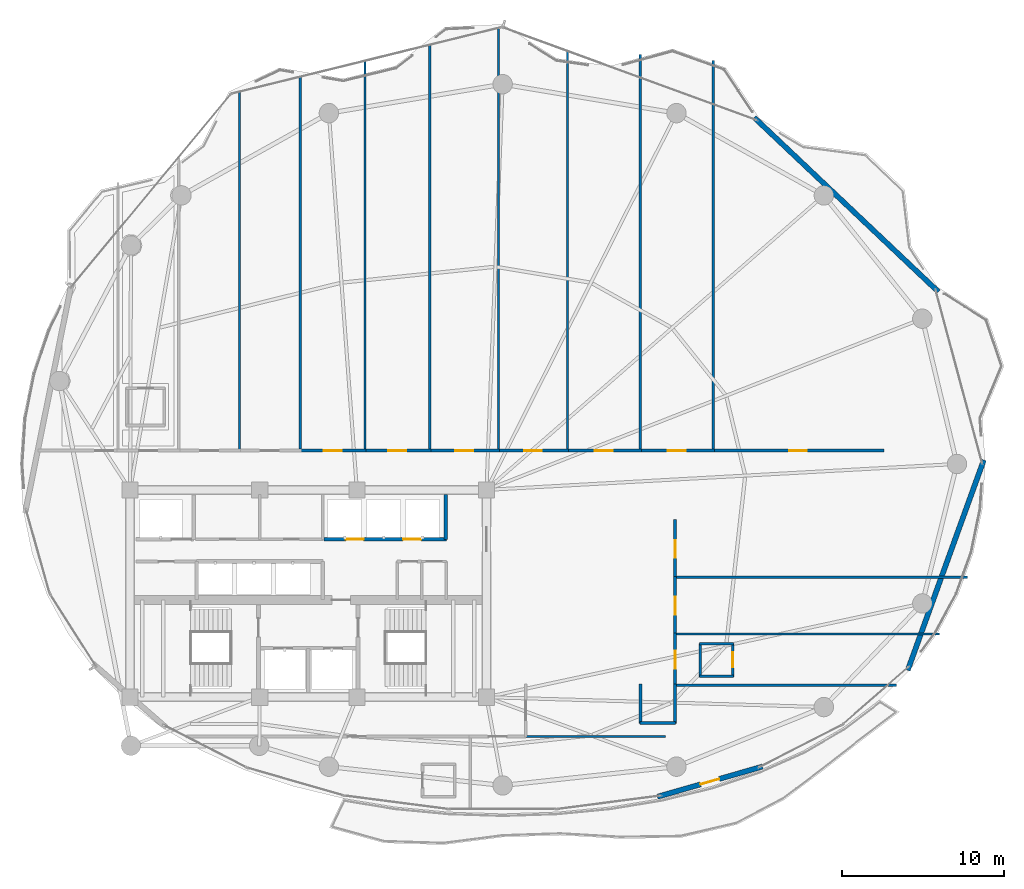
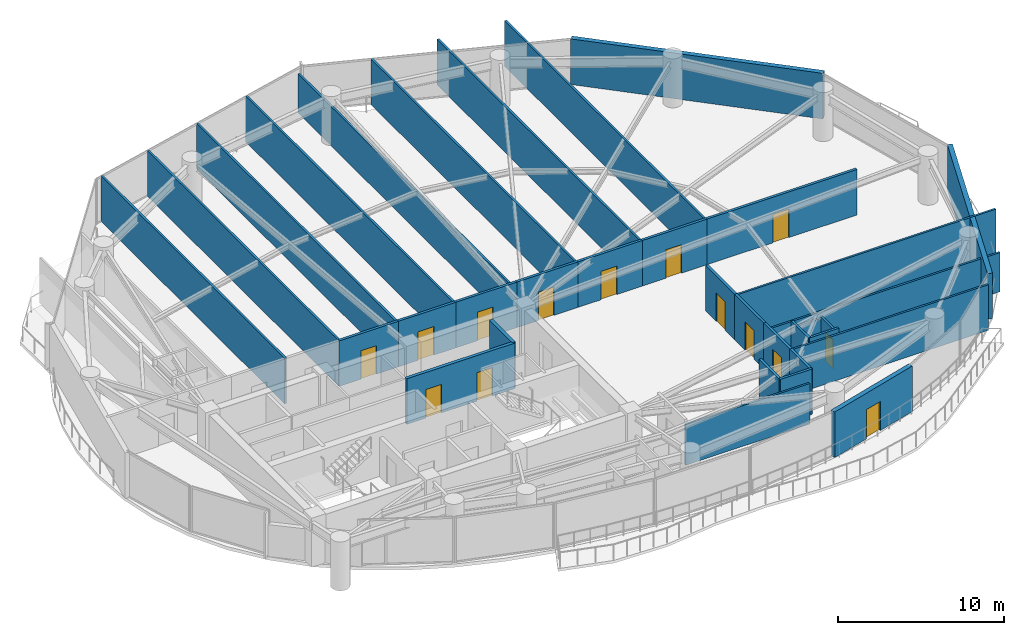
# One storey, part 24 of 28: 34 walls, 14 doors, 14 openings.
"""IFC4 building model written with IfcOpenShell, lengths in metres."""

from ifc_helpers import new_model, si_unit, direction, frame, frame_2d, origin, place, context, subcontext, project, spatial, rectangle, extrude, material, layer, layer_set, type_object, element, fill, save


model = new_model("IFC4")

# Units and contexts
model_context = context("Model", 3, precision=1e-05, world=origin(), true_north=direction((0.0, 1.0)))
body_context = subcontext(model_context, "Body", "Model", "MODEL_VIEW")
ifc_project = project(units=[si_unit("LENGTHUNIT", "METRE"), si_unit("AREAUNIT", "SQUARE_METRE"), si_unit("VOLUMEUNIT", "CUBIC_METRE"), si_unit("PLANEANGLEUNIT", "RADIAN"), si_unit("MASSUNIT", "GRAM", prefix="KILO")], contexts=[model_context])

# Site, building, storey
site_placement = place(None, origin())
site = spatial("IfcSite", under=ifc_project, at=site_placement, CompositionType="ELEMENT")
building_placement = place(site_placement, origin())
building = spatial("IfcBuilding", under=site, at=building_placement, Name="Kazevale Care Tower and Concert Hall", CompositionType="ELEMENT")
storey_placement = place(building_placement, frame((0.0, 0.0, 120.60009765625)))
storey = spatial("IfcBuildingStorey", under=building, at=storey_placement, Name="L31", CompositionType="ELEMENT", Elevation=120.60009765625)

# Walls
ifc_material_1 = material(Name="Acoustic Gypsum on Steel Stud", Category="steel")
ifc_layer_1 = layer(ifc_material_1, 0.139892578125)
ifc_layer_set_1 = layer_set([ifc_layer_1], Name="Acoustic Gypsum on Steel Stud")
wall_type_1 = type_object("IfcWallType", Name="Acoustic Care & Suite Partition 140", PredefinedType="PARTITIONING", material=ifc_layer_set_1)
wall_1_placement = place(storey_placement, frame((28.75, 60.967529296875, 0.0), z_axis=(0.0, 0.0, 1.0), x_axis=(0.0, -1.0, 0.0)))
element("IfcWall", 1, at=wall_1_placement, inside=storey, type_object=wall_type_1, Name="wall:L31:auto_023", PredefinedType="PARTITIONING", context=body_context, shape_type="SweptSolid", body=[
    extrude(rectangle(XDim=22.172607421875, YDim=0.139892578125, at=frame_2d((11.08642578125, 0.0))), origin(), (0.0, 0.0, 1.0), 3.35986328125),
])
wall_2_placement = place(storey_placement, frame((32.5, 61.890869140625, 0.0), z_axis=(0.0, 0.0, 1.0), x_axis=(0.0, -1.0, 0.0)))
element("IfcWall", 2, at=wall_2_placement, inside=storey, type_object=wall_type_1, Name="wall:L31:auto_024", PredefinedType="PARTITIONING", context=body_context, shape_type="SweptSolid", body=[
    extrude(rectangle(XDim=23.095947265625, YDim=0.139892578125, at=frame_2d((11.5478515625, 0.0))), origin(), (0.0, 0.0, 1.0), 3.35986328125),
])
wall_3_placement = place(storey_placement, frame((36.5, 62.8759765625, 0.0), z_axis=(0.0, 0.0, 1.0), x_axis=(0.0, -1.0, 0.0)))
element("IfcWall", 3, at=wall_3_placement, inside=storey, type_object=wall_type_1, Name="wall:L31:auto_025", PredefinedType="PARTITIONING", context=body_context, shape_type="SweptSolid", body=[
    extrude(rectangle(XDim=24.0810546875, YDim=0.139892578125, at=frame_2d((12.04052734375, 0.0))), origin(), (0.0, 0.0, 1.0), 3.35986328125),
])
wall_4_placement = place(storey_placement, frame((40.5, 63.86083984375, 0.0), z_axis=(0.0, 0.0, 1.0), x_axis=(0.0, -1.0, 0.0)))
element("IfcWall", 4, at=wall_4_placement, inside=storey, type_object=wall_type_1, Name="wall:L31:auto_026", PredefinedType="PARTITIONING", context=body_context, shape_type="SweptSolid", body=[
    extrude(rectangle(XDim=25.06591796875, YDim=0.139892578125, at=frame_2d((12.532958984375, 0.0))), origin(), (0.0, 0.0, 1.0), 3.35986328125),
])
wall_5_placement = place(storey_placement, frame((44.75, 64.9072265625, 0.0), z_axis=(0.0, 0.0, 1.0), x_axis=(0.0, -1.0, 0.0)))
element("IfcWall", 5, at=wall_5_placement, inside=storey, type_object=wall_type_1, Name="wall:L31:auto_027", PredefinedType="PARTITIONING", context=body_context, shape_type="SweptSolid", body=[
    extrude(rectangle(XDim=26.1123046875, YDim=0.139892578125, at=frame_2d((13.05615234375, 0.0))), origin(), (0.0, 0.0, 1.0), 2.889892578125),
])
wall_6_placement = place(storey_placement, frame((49.0, 63.478271484375, 0.0), z_axis=(0.0, 0.0, 1.0), x_axis=(0.0, -1.0, 0.0)))
element("IfcWall", 6, at=wall_6_placement, inside=storey, type_object=wall_type_1, Name="wall:L31:auto_028", PredefinedType="PARTITIONING", context=body_context, shape_type="SweptSolid", body=[
    extrude(rectangle(XDim=24.683349609375, YDim=0.139892578125, at=frame_2d((12.341796875, 0.0))), origin(), (0.0, 0.0, 1.0), 3.35986328125),
])
wall_7_placement = place(storey_placement, frame((53.5, 63.27490234375, 0.0), z_axis=(0.0, 0.0, 1.0), x_axis=(0.0, -1.0, 0.0)))
element("IfcWall", 7, at=wall_7_placement, inside=storey, type_object=wall_type_1, Name="wall:L31:auto_029", PredefinedType="PARTITIONING", context=body_context, shape_type="SweptSolid", body=[
    extrude(rectangle(XDim=24.47998046875, YDim=0.139892578125, at=frame_2d((12.239990234375, 0.0))), origin(), (0.0, 0.0, 1.0), 3.35986328125),
])
wall_8_placement = place(storey_placement, frame((58.0, 62.925048828125, 0.0), z_axis=(0.0, 0.0, 1.0), x_axis=(0.0, -1.0, 0.0)))
element("IfcWall", 8, at=wall_8_placement, inside=storey, type_object=wall_type_1, Name="wall:L31:auto_030", PredefinedType="PARTITIONING", context=body_context, shape_type="SweptSolid", body=[
    extrude(rectangle(XDim=24.130126953125, YDim=0.139892578125, at=frame_2d((12.06494140625, 0.0))), origin(), (0.0, 0.0, 1.0), 3.35986328125),
])
wall_9_placement = place(storey_placement, frame((55.6201171875, 24.340087890625, 0.0), z_axis=(0.0, 0.0, 1.0), x_axis=(1.0, 0.0, 0.0)))
element("IfcWall", 9, at=wall_9_placement, inside=storey, type_object=wall_type_1, Name="wall:L31:auto_031", PredefinedType="PARTITIONING", context=body_context, shape_type="SweptSolid", body=[
    extrude(rectangle(XDim=13.69580078125, YDim=0.139892578125, at=frame_2d((6.847900390625, 0.0))), origin(), (0.0, 0.0, 1.0), 3.35986328125),
])
wall_10_placement = place(storey_placement, frame((55.06494140625, 21.175048828125, 0.0), z_axis=(0.0, 0.0, 1.0), x_axis=(-1.0, 0.0, 0.0)))
element("IfcWall", 10, at=wall_10_placement, inside=storey, type_object=wall_type_1, Name="wall:L31:auto_032", PredefinedType="PARTITIONING", context=body_context, shape_type="SweptSolid", body=[
    extrude(rectangle(XDim=8.669921875, YDim=0.139892578125, at=frame_2d((4.3349609375, 0.0))), origin(), (0.0, 0.0, 1.0), 2.995849609375),
])
wall_11_placement = place(storey_placement, frame((55.6201171875, 27.5, 0.0), z_axis=(0.0, 0.0, 1.0), x_axis=(1.0, 0.0, 0.0)))
element("IfcWall", 11, at=wall_11_placement, inside=storey, type_object=wall_type_1, Name="wall:L31:auto_033", PredefinedType="PARTITIONING", context=body_context, shape_type="SweptSolid", body=[
    extrude(rectangle(XDim=16.345947265625, YDim=0.139892578125, at=frame_2d((8.1728515625, 0.0))), origin(), (0.0, 0.0, 1.0), 2.889892578125),
])
wall_12_placement = place(storey_placement, frame((55.6201171875, 31.0, 0.0), z_axis=(0.0, 0.0, 1.0), x_axis=(1.0, 0.0, 0.0)))
element("IfcWall", 12, at=wall_12_placement, inside=storey, type_object=wall_type_1, Name="wall:L31:auto_034", PredefinedType="PARTITIONING", context=body_context, shape_type="SweptSolid", body=[
    extrude(rectangle(XDim=18.082763671875, YDim=0.139892578125, at=frame_2d((9.04150390625, 0.0))), origin(), (0.0, 0.0, 1.0), 3.35986328125),
])

# Wall, openings, doors
ifc_material_2 = material(Name="Concrete C40", Category="concrete")
ifc_layer_2 = layer(ifc_material_2, 0.219970703125)
ifc_layer_set_2 = layer_set([ifc_layer_2], Name="Concrete C40")
wall_type_2 = type_object("IfcWallType", Name="Elevator Hoistway Shaft Wall 220", PredefinedType="SOLIDWALL", material=ifc_layer_set_2)
wall_13_placement = place(storey_placement, frame((33.97998046875, 33.35009765625, 0.0), z_axis=(0.0, 0.0, 1.0), x_axis=(1.0, 0.0, 0.0)))
wall_13 = element("IfcWall", 13, at=wall_13_placement, inside=storey, type_object=wall_type_2, Name="wall:L31:c_pm_s", PredefinedType="SOLIDWALL", context=body_context, shape_type="SweptSolid", body=[
    extrude(rectangle(XDim=7.5400390625, YDim=0.219970703125, at=frame_2d((3.77001953125, 0.0))), origin(), (0.0, 0.0, 1.0), 3.35986328125),
])
opening_1_placement = place(wall_13_placement, frame((1.3349609375, 0.0, 0.0)))
opening_1 = element("IfcOpeningElement", 14, at=opening_1_placement, cuts=wall_13, Name="Opening LD-PAX", PredefinedType="OPENING", context=body_context, shape_type="SweptSolid", body=[
    extrude(rectangle(XDim=1.10009765625, YDim=2.10009765625, at=frame_2d((0.550048828125, 1.050048828125))), frame((0.0, 0.119873046875, 0.0), z_axis=(0.0, -1.0, 0.0), x_axis=(1.0, 0.0, 0.0)), (0.0, 0.0, 1.0), 0.239990234375),
])
opening_2_placement = place(wall_13_placement, frame((4.87890625, 0.0, 0.0)))
opening_2 = element("IfcOpeningElement", 15, at=opening_2_placement, cuts=wall_13, Name="Opening LD-PAX", PredefinedType="OPENING", context=body_context, shape_type="SweptSolid", body=[
    extrude(rectangle(XDim=1.10009765625, YDim=2.10009765625, at=frame_2d((0.550048828125, 1.050048828125))), frame((0.0, 0.119873046875, 0.0), z_axis=(0.0, -1.0, 0.0), x_axis=(1.0, 0.0, 0.0)), (0.0, 0.0, 1.0), 0.239990234375),
])
ifc_material_3 = material(Name="Stainless Steel 316", Category="steel")
door_type_1 = type_object("IfcDoorType", Name="Passenger Lift Sliding Landing Door 1100x2100", OperationType="NOTDEFINED", PredefinedType="DOOR", material=ifc_material_3)
door_1_placement = place(opening_1_placement, origin())
door_1 = element("IfcDoor", 16, at=door_1_placement, inside=storey, type_object=door_type_1, Name="door:L31:ld_pm1", OperationType="SLIDING_TO_LEFT", OverallHeight=2.10009765625, OverallWidth=1.10009765625, PredefinedType="DOOR", context=body_context, shape_type="SweptSolid", body=[
    extrude(rectangle(XDim=1.10009765625, YDim=2.10009765625, at=frame_2d((0.550048828125, 1.050048828125))), frame((0.0, 0.02490234375, 0.0), z_axis=(0.0, -1.0, 0.0), x_axis=(1.0, 0.0, 0.0)), (0.0, 0.0, 1.0), 0.050048828125),
])
fill(opening_1, door_1)
door_2_placement = place(opening_2_placement, origin())
door_2 = element("IfcDoor", 17, at=door_2_placement, inside=storey, type_object=door_type_1, Name="door:L31:ld_pm2", OperationType="SLIDING_TO_RIGHT", OverallHeight=2.10009765625, OverallWidth=1.10009765625, PredefinedType="DOOR", context=body_context, shape_type="SweptSolid", body=[
    extrude(rectangle(XDim=1.10009765625, YDim=2.10009765625, at=frame_2d((0.550048828125, 1.050048828125))), frame((0.0, 0.02490234375, 0.0), z_axis=(0.0, -1.0, 0.0), x_axis=(1.0, 0.0, 0.0)), (0.0, 0.0, 1.0), 0.050048828125),
])
fill(opening_2, door_2)

# Wall
wall_14_placement = place(storey_placement, frame((41.5, 33.35009765625, 0.0), z_axis=(0.0, 0.0, 1.0), x_axis=(0.0, 1.0, 0.0)))
element("IfcWall", 18, at=wall_14_placement, inside=storey, type_object=wall_type_2, Name="wall:L31:c_pm_e", PredefinedType="SOLIDWALL", context=body_context, shape_type="SweptSolid", body=[
    extrude(rectangle(XDim=2.75, YDim=0.219970703125, at=frame_2d((1.375, 0.0))), origin(), (0.0, 0.0, 1.0), 3.35986328125),
])

# Wall, opening, door
ifc_material_4 = material(Name="Concrete C40 and Acoustic Gypsum", Category="concrete")
ifc_layer_3 = layer(ifc_material_4, 0.179931640625)
ifc_layer_set_3 = layer_set([ifc_layer_3], Name="Concrete C40 and Acoustic Gypsum")
wall_type_3 = type_object("IfcWallType", Name="Fire-Rated Corridor & Party Wall 180", PredefinedType="PARTITIONING", material=ifc_layer_set_3)
wall_15_placement = place(storey_placement, frame((32.43505859375, 38.824951171875, 0.0), z_axis=(0.0, 0.0, 1.0), x_axis=(1.0, 0.0, 0.0)))
wall_15 = element("IfcWall", 19, at=wall_15_placement, inside=storey, type_object=wall_type_3, Name="wall:L31:auto_005", PredefinedType="PARTITIONING", context=body_context, shape_type="SweptSolid", body=[
    extrude(rectangle(XDim=4.1298828125, YDim=0.179931640625, at=frame_2d((2.06494140625, 0.0))), origin(), (0.0, 0.0, 1.0), 3.35986328125),
])
opening_3_placement = place(wall_15_placement, frame((1.514892578125, 0.0, 0.0)))
opening_3 = element("IfcOpeningElement", 20, at=opening_3_placement, cuts=wall_15, Name="Opening ID-1100", PredefinedType="OPENING", context=body_context, shape_type="SweptSolid", body=[
    extrude(rectangle(XDim=1.10009765625, YDim=2.10009765625, at=frame_2d((0.550048828125, 1.050048828125))), frame((0.0, 0.099853515625, 0.0), z_axis=(0.0, -1.0, 0.0), x_axis=(1.0, 0.0, 0.0)), (0.0, 0.0, 1.0), 0.199951171875),
])
ifc_material_5 = material(Name="Oak Timber Fire Leaf", Category="wood")
door_type_2 = type_object("IfcDoorType", Name="Care Bedroom Accessible Door 1100x2100", OperationType="NOTDEFINED", PredefinedType="DOOR", material=ifc_material_5)
door_3_placement = place(opening_3_placement, origin())
door_3 = element("IfcDoor", 21, at=door_3_placement, inside=storey, type_object=door_type_2, Name="door:L31:ad_005", OperationType="SINGLE_SWING_LEFT", OverallHeight=2.10009765625, OverallWidth=1.10009765625, PredefinedType="DOOR", context=body_context, shape_type="SweptSolid", body=[
    extrude(rectangle(XDim=1.10009765625, YDim=2.10009765625, at=frame_2d((0.550048828125, 1.050048828125))), frame((0.0, 0.02490234375, 0.0), z_axis=(0.0, -1.0, 0.0), x_axis=(1.0, 0.0, 0.0)), (0.0, 0.0, 1.0), 0.050048828125),
])
fill(opening_3, door_3)

wall_16_placement = place(storey_placement, frame((36.43505859375, 38.824951171875, 0.0), z_axis=(0.0, 0.0, 1.0), x_axis=(1.0, 0.0, 0.0)))
wall_16 = element("IfcWall", 22, at=wall_16_placement, inside=storey, type_object=wall_type_3, Name="wall:L31:auto_006", PredefinedType="PARTITIONING", context=body_context, shape_type="SweptSolid", body=[
    extrude(rectangle(XDim=4.1298828125, YDim=0.179931640625, at=frame_2d((2.06494140625, 0.0))), origin(), (0.0, 0.0, 1.0), 3.35986328125),
])
opening_4_placement = place(wall_16_placement, frame((1.514892578125, 0.0, 0.0)))
opening_4 = element("IfcOpeningElement", 23, at=opening_4_placement, cuts=wall_16, Name="Opening ID-1100", PredefinedType="OPENING", context=body_context, shape_type="SweptSolid", body=[
    extrude(rectangle(XDim=1.10009765625, YDim=2.10009765625, at=frame_2d((0.550048828125, 1.050048828125))), frame((0.0, 0.099853515625, 0.0), z_axis=(0.0, -1.0, 0.0), x_axis=(1.0, 0.0, 0.0)), (0.0, 0.0, 1.0), 0.199951171875),
])
door_4_placement = place(opening_4_placement, origin())
door_4 = element("IfcDoor", 24, at=door_4_placement, inside=storey, type_object=door_type_2, Name="door:L31:ad_006", OperationType="SINGLE_SWING_LEFT", OverallHeight=2.10009765625, OverallWidth=1.10009765625, PredefinedType="DOOR", context=body_context, shape_type="SweptSolid", body=[
    extrude(rectangle(XDim=1.10009765625, YDim=2.10009765625, at=frame_2d((0.550048828125, 1.050048828125))), frame((0.0, 0.02490234375, 0.0), z_axis=(0.0, -1.0, 0.0), x_axis=(1.0, 0.0, 0.0)), (0.0, 0.0, 1.0), 0.050048828125),
])
fill(opening_4, door_4)

wall_17_placement = place(storey_placement, frame((40.43505859375, 38.824951171875, 0.0), z_axis=(0.0, 0.0, 1.0), x_axis=(1.0, 0.0, 0.0)))
wall_17 = element("IfcWall", 25, at=wall_17_placement, inside=storey, type_object=wall_type_3, Name="wall:L31:auto_007", PredefinedType="PARTITIONING", context=body_context, shape_type="SweptSolid", body=[
    extrude(rectangle(XDim=4.3798828125, YDim=0.179931640625, at=frame_2d((2.18994140625, 0.0))), origin(), (0.0, 0.0, 1.0), 3.35986328125),
])
opening_5_placement = place(wall_17_placement, frame((1.639892578125, 0.0, 0.0)))
opening_5 = element("IfcOpeningElement", 26, at=opening_5_placement, cuts=wall_17, Name="Opening ID-1100", PredefinedType="OPENING", context=body_context, shape_type="SweptSolid", body=[
    extrude(rectangle(XDim=1.10009765625, YDim=2.10009765625, at=frame_2d((0.550048828125, 1.050048828125))), frame((0.0, 0.099853515625, 0.0), z_axis=(0.0, -1.0, 0.0), x_axis=(1.0, 0.0, 0.0)), (0.0, 0.0, 1.0), 0.199951171875),
])
door_5_placement = place(opening_5_placement, origin())
door_5 = element("IfcDoor", 27, at=door_5_placement, inside=storey, type_object=door_type_2, Name="door:L31:ad_007", OperationType="SINGLE_SWING_LEFT", OverallHeight=2.10009765625, OverallWidth=1.10009765625, PredefinedType="DOOR", context=body_context, shape_type="SweptSolid", body=[
    extrude(rectangle(XDim=1.10009765625, YDim=2.10009765625, at=frame_2d((0.550048828125, 1.050048828125))), frame((0.0, 0.02490234375, 0.0), z_axis=(0.0, -1.0, 0.0), x_axis=(1.0, 0.0, 0.0)), (0.0, 0.0, 1.0), 0.050048828125),
])
fill(opening_5, door_5)

wall_18_placement = place(storey_placement, frame((44.68505859375, 38.824951171875, 0.0), z_axis=(0.0, 0.0, 1.0), x_axis=(1.0, 0.0, 0.0)))
wall_18 = element("IfcWall", 28, at=wall_18_placement, inside=storey, type_object=wall_type_3, Name="wall:L31:auto_008", PredefinedType="PARTITIONING", context=body_context, shape_type="SweptSolid", body=[
    extrude(rectangle(XDim=4.3798828125, YDim=0.179931640625, at=frame_2d((2.18994140625, 0.0))), origin(), (0.0, 0.0, 1.0), 3.35986328125),
])
opening_6_placement = place(wall_18_placement, frame((1.639892578125, 0.0, 0.0)))
opening_6 = element("IfcOpeningElement", 29, at=opening_6_placement, cuts=wall_18, Name="Opening ID-1100", PredefinedType="OPENING", context=body_context, shape_type="SweptSolid", body=[
    extrude(rectangle(XDim=1.10009765625, YDim=2.10009765625, at=frame_2d((0.550048828125, 1.050048828125))), frame((0.0, 0.099853515625, 0.0), z_axis=(0.0, -1.0, 0.0), x_axis=(1.0, 0.0, 0.0)), (0.0, 0.0, 1.0), 0.199951171875),
])
door_6_placement = place(opening_6_placement, origin())
door_6 = element("IfcDoor", 30, at=door_6_placement, inside=storey, type_object=door_type_2, Name="door:L31:ad_008", OperationType="SINGLE_SWING_LEFT", OverallHeight=2.10009765625, OverallWidth=1.10009765625, PredefinedType="DOOR", context=body_context, shape_type="SweptSolid", body=[
    extrude(rectangle(XDim=1.10009765625, YDim=2.10009765625, at=frame_2d((0.550048828125, 1.050048828125))), frame((0.0, 0.02490234375, 0.0), z_axis=(0.0, -1.0, 0.0), x_axis=(1.0, 0.0, 0.0)), (0.0, 0.0, 1.0), 0.050048828125),
])
fill(opening_6, door_6)

wall_19_placement = place(storey_placement, frame((48.93505859375, 38.824951171875, 0.0), z_axis=(0.0, 0.0, 1.0), x_axis=(1.0, 0.0, 0.0)))
wall_19 = element("IfcWall", 31, at=wall_19_placement, inside=storey, type_object=wall_type_3, Name="wall:L31:auto_009", PredefinedType="PARTITIONING", context=body_context, shape_type="SweptSolid", body=[
    extrude(rectangle(XDim=4.6298828125, YDim=0.179931640625, at=frame_2d((2.31494140625, 0.0))), origin(), (0.0, 0.0, 1.0), 3.35986328125),
])
opening_7_placement = place(wall_19_placement, frame((1.764892578125, 0.0, 0.0)))
opening_7 = element("IfcOpeningElement", 32, at=opening_7_placement, cuts=wall_19, Name="Opening ID-1100", PredefinedType="OPENING", context=body_context, shape_type="SweptSolid", body=[
    extrude(rectangle(XDim=1.10009765625, YDim=2.10009765625, at=frame_2d((0.550048828125, 1.050048828125))), frame((0.0, 0.099853515625, 0.0), z_axis=(0.0, -1.0, 0.0), x_axis=(1.0, 0.0, 0.0)), (0.0, 0.0, 1.0), 0.199951171875),
])
door_7_placement = place(opening_7_placement, origin())
door_7 = element("IfcDoor", 33, at=door_7_placement, inside=storey, type_object=door_type_2, Name="door:L31:ad_009", OperationType="SINGLE_SWING_LEFT", OverallHeight=2.10009765625, OverallWidth=1.10009765625, PredefinedType="DOOR", context=body_context, shape_type="SweptSolid", body=[
    extrude(rectangle(XDim=1.10009765625, YDim=2.10009765625, at=frame_2d((0.550048828125, 1.050048828125))), frame((0.0, 0.02490234375, 0.0), z_axis=(0.0, -1.0, 0.0), x_axis=(1.0, 0.0, 0.0)), (0.0, 0.0, 1.0), 0.050048828125),
])
fill(opening_7, door_7)

wall_20_placement = place(storey_placement, frame((53.43505859375, 38.824951171875, 0.0), z_axis=(0.0, 0.0, 1.0), x_axis=(1.0, 0.0, 0.0)))
wall_20 = element("IfcWall", 34, at=wall_20_placement, inside=storey, type_object=wall_type_3, Name="wall:L31:auto_010", PredefinedType="PARTITIONING", context=body_context, shape_type="SweptSolid", body=[
    extrude(rectangle(XDim=4.6298828125, YDim=0.179931640625, at=frame_2d((2.31494140625, 0.0))), origin(), (0.0, 0.0, 1.0), 3.35986328125),
])
opening_8_placement = place(wall_20_placement, frame((1.764892578125, 0.0, 0.0)))
opening_8 = element("IfcOpeningElement", 35, at=opening_8_placement, cuts=wall_20, Name="Opening ID-1100", PredefinedType="OPENING", context=body_context, shape_type="SweptSolid", body=[
    extrude(rectangle(XDim=1.10009765625, YDim=2.10009765625, at=frame_2d((0.550048828125, 1.050048828125))), frame((0.0, 0.099853515625, 0.0), z_axis=(0.0, -1.0, 0.0), x_axis=(1.0, 0.0, 0.0)), (0.0, 0.0, 1.0), 0.199951171875),
])
door_8_placement = place(opening_8_placement, origin())
door_8 = element("IfcDoor", 36, at=door_8_placement, inside=storey, type_object=door_type_2, Name="door:L31:ad_010", OperationType="SINGLE_SWING_LEFT", OverallHeight=2.10009765625, OverallWidth=1.10009765625, PredefinedType="DOOR", context=body_context, shape_type="SweptSolid", body=[
    extrude(rectangle(XDim=1.10009765625, YDim=2.10009765625, at=frame_2d((0.550048828125, 1.050048828125))), frame((0.0, 0.02490234375, 0.0), z_axis=(0.0, -1.0, 0.0), x_axis=(1.0, 0.0, 0.0)), (0.0, 0.0, 1.0), 0.050048828125),
])
fill(opening_8, door_8)

wall_21_placement = place(storey_placement, frame((57.93505859375, 38.824951171875, 0.0), z_axis=(0.0, 0.0, 1.0), x_axis=(1.0, 0.0, 0.0)))
wall_21 = element("IfcWall", 37, at=wall_21_placement, inside=storey, type_object=wall_type_3, Name="wall:L31:auto_011", PredefinedType="PARTITIONING", context=body_context, shape_type="SweptSolid", body=[
    extrude(rectangle(XDim=10.594970703125, YDim=0.179931640625, at=frame_2d((5.29736328125, 0.0))), origin(), (0.0, 0.0, 1.0), 3.35986328125),
])
opening_9_placement = place(wall_21_placement, frame((4.748046875, 0.0, 0.0)))
opening_9 = element("IfcOpeningElement", 38, at=opening_9_placement, cuts=wall_21, Name="Opening ID-1100", PredefinedType="OPENING", context=body_context, shape_type="SweptSolid", body=[
    extrude(rectangle(XDim=1.10009765625, YDim=2.10009765625, at=frame_2d((0.550048828125, 1.050048828125))), frame((0.0, 0.099853515625, 0.0), z_axis=(0.0, -1.0, 0.0), x_axis=(1.0, 0.0, 0.0)), (0.0, 0.0, 1.0), 0.199951171875),
])
door_9_placement = place(opening_9_placement, origin())
door_9 = element("IfcDoor", 39, at=door_9_placement, inside=storey, type_object=door_type_2, Name="door:L31:ad_011", OperationType="SINGLE_SWING_LEFT", OverallHeight=2.10009765625, OverallWidth=1.10009765625, PredefinedType="DOOR", context=body_context, shape_type="SweptSolid", body=[
    extrude(rectangle(XDim=1.10009765625, YDim=2.10009765625, at=frame_2d((0.550048828125, 1.050048828125))), frame((0.0, 0.02490234375, 0.0), z_axis=(0.0, -1.0, 0.0), x_axis=(1.0, 0.0, 0.0)), (0.0, 0.0, 1.0), 0.050048828125),
])
fill(opening_9, door_9)

# Walls
for number, where, z_axis, x_axis, name in (
    (40, (55.64990234375, 24.405029296875, 0.0), (0.0, 0.0, 1.0), (0.0, -1.0, 0.0), "wall:L31:auto_013"),
    (41, (53.5, 21.969970703125, 0.0), (0.0, 0.0, 1.0), (0.0, 1.0, 0.0), "wall:L31:auto_014"),
):
    element("IfcWall", number, at=place(storey_placement, frame(where, z_axis=z_axis, x_axis=x_axis)), inside=storey, type_object=wall_type_3, Name=name, PredefinedType="PARTITIONING", context=body_context, shape_type="SweptSolid", body=[
        extrude(rectangle(XDim=2.43505859375, YDim=0.179931640625, at=frame_2d((1.217529296875, 0.0))), origin(), (0.0, 0.0, 1.0), 3.35986328125),
    ])
wall_22_placement = place(storey_placement, frame((55.679931640625, 22.0, 0.0), z_axis=(0.0, 0.0, 1.0), x_axis=(-1.0, 0.0, 0.0)))
element("IfcWall", 42, at=wall_22_placement, inside=storey, type_object=wall_type_3, Name="wall:L31:auto_015", PredefinedType="PARTITIONING", context=body_context, shape_type="SweptSolid", body=[
    extrude(rectangle(XDim=2.2099609375, YDim=0.179931640625, at=frame_2d((1.10498046875, 0.0))), origin(), (0.0, 0.0, 1.0), 3.35986328125),
])

# Wall, opening, door
wall_23_placement = place(storey_placement, frame((55.64990234375, 27.56494140625, 0.0), z_axis=(0.0, 0.0, 1.0), x_axis=(0.0, -1.0, 0.0)))
wall_23 = element("IfcWall", 43, at=wall_23_placement, inside=storey, type_object=wall_type_3, Name="wall:L31:auto_016", PredefinedType="PARTITIONING", context=body_context, shape_type="SweptSolid", body=[
    extrude(rectangle(XDim=3.2900390625, YDim=0.179931640625, at=frame_2d((1.64501953125, 0.0))), origin(), (0.0, 0.0, 1.0), 3.35986328125),
])
opening_10_placement = place(wall_23_placement, frame((1.094970703125, 0.0, 0.0)))
opening_10 = element("IfcOpeningElement", 44, at=opening_10_placement, cuts=wall_23, Name="Opening ID-1100", PredefinedType="OPENING", context=body_context, shape_type="SweptSolid", body=[
    extrude(rectangle(XDim=1.10009765625, YDim=2.10009765625, at=frame_2d((0.550048828125, 1.050048828125))), frame((0.0, 0.099853515625, 0.0), z_axis=(0.0, -1.0, 0.0), x_axis=(1.0, 0.0, 0.0)), (0.0, 0.0, 1.0), 0.199951171875),
])
door_10_placement = place(opening_10_placement, origin())
door_10 = element("IfcDoor", 45, at=door_10_placement, inside=storey, type_object=door_type_2, Name="door:L31:ad_016", OperationType="SINGLE_SWING_LEFT", OverallHeight=2.10009765625, OverallWidth=1.10009765625, PredefinedType="DOOR", context=body_context, shape_type="SweptSolid", body=[
    extrude(rectangle(XDim=1.10009765625, YDim=2.10009765625, at=frame_2d((0.550048828125, 1.050048828125))), frame((0.0, 0.02490234375, 0.0), z_axis=(0.0, -1.0, 0.0), x_axis=(1.0, 0.0, 0.0)), (0.0, 0.0, 1.0), 0.050048828125),
])
fill(opening_10, door_10)

wall_24_placement = place(storey_placement, frame((55.64990234375, 31.06494140625, 0.0), z_axis=(0.0, 0.0, 1.0), x_axis=(0.0, -1.0, 0.0)))
wall_24 = element("IfcWall", 46, at=wall_24_placement, inside=storey, type_object=wall_type_3, Name="wall:L31:auto_017", PredefinedType="PARTITIONING", context=body_context, shape_type="SweptSolid", body=[
    extrude(rectangle(XDim=3.6298828125, YDim=0.179931640625, at=frame_2d((1.81494140625, 0.0))), origin(), (0.0, 0.0, 1.0), 3.35986328125),
])
opening_11_placement = place(wall_24_placement, frame((1.264892578125, 0.0, 0.0)))
opening_11 = element("IfcOpeningElement", 47, at=opening_11_placement, cuts=wall_24, Name="Opening ID-1100", PredefinedType="OPENING", context=body_context, shape_type="SweptSolid", body=[
    extrude(rectangle(XDim=1.10009765625, YDim=2.10009765625, at=frame_2d((0.550048828125, 1.050048828125))), frame((0.0, 0.099853515625, 0.0), z_axis=(0.0, -1.0, 0.0), x_axis=(1.0, 0.0, 0.0)), (0.0, 0.0, 1.0), 0.199951171875),
])
door_11_placement = place(opening_11_placement, origin())
door_11 = element("IfcDoor", 48, at=door_11_placement, inside=storey, type_object=door_type_2, Name="door:L31:ad_017", OperationType="SINGLE_SWING_LEFT", OverallHeight=2.10009765625, OverallWidth=1.10009765625, PredefinedType="DOOR", context=body_context, shape_type="SweptSolid", body=[
    extrude(rectangle(XDim=1.10009765625, YDim=2.10009765625, at=frame_2d((0.550048828125, 1.050048828125))), frame((0.0, 0.02490234375, 0.0), z_axis=(0.0, -1.0, 0.0), x_axis=(1.0, 0.0, 0.0)), (0.0, 0.0, 1.0), 0.050048828125),
])
fill(opening_11, door_11)

wall_25_placement = place(storey_placement, frame((55.64990234375, 34.56494140625, 0.0), z_axis=(0.0, 0.0, 1.0), x_axis=(0.0, -1.0, 0.0)))
wall_25 = element("IfcWall", 49, at=wall_25_placement, inside=storey, type_object=wall_type_3, Name="wall:L31:auto_018", PredefinedType="PARTITIONING", context=body_context, shape_type="SweptSolid", body=[
    extrude(rectangle(XDim=3.6298828125, YDim=0.179931640625, at=frame_2d((1.81494140625, 0.0))), origin(), (0.0, 0.0, 1.0), 3.35986328125),
])
opening_12_placement = place(wall_25_placement, frame((1.264892578125, 0.0, 0.0)))
opening_12 = element("IfcOpeningElement", 50, at=opening_12_placement, cuts=wall_25, Name="Opening ID-1100", PredefinedType="OPENING", context=body_context, shape_type="SweptSolid", body=[
    extrude(rectangle(XDim=1.10009765625, YDim=2.10009765625, at=frame_2d((0.550048828125, 1.050048828125))), frame((0.0, 0.099853515625, 0.0), z_axis=(0.0, -1.0, 0.0), x_axis=(1.0, 0.0, 0.0)), (0.0, 0.0, 1.0), 0.199951171875),
])
door_12_placement = place(opening_12_placement, origin())
door_12 = element("IfcDoor", 51, at=door_12_placement, inside=storey, type_object=door_type_2, Name="door:L31:ad_018", OperationType="SINGLE_SWING_LEFT", OverallHeight=2.10009765625, OverallWidth=1.10009765625, PredefinedType="DOOR", context=body_context, shape_type="SweptSolid", body=[
    extrude(rectangle(XDim=1.10009765625, YDim=2.10009765625, at=frame_2d((0.550048828125, 1.050048828125))), frame((0.0, 0.02490234375, 0.0), z_axis=(0.0, -1.0, 0.0), x_axis=(1.0, 0.0, 0.0)), (0.0, 0.0, 1.0), 0.050048828125),
])
fill(opening_12, door_12)

# Walls
ifc_layer_4 = layer(ifc_material_1, 0.159912109375)
ifc_layer_set_4 = layer_set([ifc_layer_4], Name="Acoustic Gypsum on Steel Stud")
wall_type_4 = type_object("IfcWallType", Name="Moisture-Resistant Bathroom Plumbing Wall 160", PredefinedType="PLUMBINGWALL", material=ifc_layer_set_4)
wall_26_placement = place(storey_placement, frame((57.159912109375, 24.889892578125, 0.0), z_axis=(0.0, 0.0, 1.0), x_axis=(1.0, 0.0, 0.0)))
element("IfcWall", 52, at=wall_26_placement, inside=storey, type_object=wall_type_4, Name="wall:L31:eb1b_ens_ws", PredefinedType="PLUMBINGWALL", context=body_context, shape_type="SweptSolid", body=[
    extrude(rectangle(XDim=2.080078125, YDim=0.159912109375, at=frame_2d((1.0400390625, 0.0))), origin(), (0.0, 0.0, 1.0), 3.35986328125),
])
wall_27_placement = place(storey_placement, frame((57.159912109375, 26.889892578125, 0.0), z_axis=(0.0, 0.0, 1.0), x_axis=(1.0, 0.0, 0.0)))
element("IfcWall", 53, at=wall_27_placement, inside=storey, type_object=wall_type_4, Name="wall:L31:eb1b_ens_wn", PredefinedType="PLUMBINGWALL", context=body_context, shape_type="SweptSolid", body=[
    extrude(rectangle(XDim=2.080078125, YDim=0.159912109375, at=frame_2d((1.0400390625, 0.0))), origin(), (0.0, 0.0, 1.0), 2.889892578125),
])
wall_28_placement = place(storey_placement, frame((57.199951171875, 24.85009765625, 0.0), z_axis=(0.0, 0.0, 1.0), x_axis=(0.0, 1.0, 0.0)))
element("IfcWall", 54, at=wall_28_placement, inside=storey, type_object=wall_type_4, Name="wall:L31:eb1b_ens_ww", PredefinedType="PLUMBINGWALL", context=body_context, shape_type="SweptSolid", body=[
    extrude(rectangle(XDim=2.079833984375, YDim=0.159912109375, at=frame_2d((1.0400390625, 0.0))), origin(), (0.0, 0.0, 1.0), 3.35986328125),
])

# Wall, opening, door
wall_29_placement = place(storey_placement, frame((59.199951171875, 24.85009765625, 0.0), z_axis=(0.0, 0.0, 1.0), x_axis=(0.0, 1.0, 0.0)))
wall_29 = element("IfcWall", 55, at=wall_29_placement, inside=storey, type_object=wall_type_4, Name="wall:L31:eb1b_ens_we", PredefinedType="PLUMBINGWALL", context=body_context, shape_type="SweptSolid", body=[
    extrude(rectangle(XDim=2.079833984375, YDim=0.159912109375, at=frame_2d((1.0400390625, 0.0))), origin(), (0.0, 0.0, 1.0), 2.995849609375),
])
opening_13_placement = place(wall_29_placement, frame((0.590087890625, 0.0, 0.0)))
opening_13 = element("IfcOpeningElement", 56, at=opening_13_placement, cuts=wall_29, Name="Opening ID-900", PredefinedType="OPENING", context=body_context, shape_type="SweptSolid", body=[
    extrude(rectangle(XDim=0.919921875, YDim=2.10009765625, at=frame_2d((0.4599609375, 1.050048828125))), frame((0.0, 0.08984375, 0.0), z_axis=(0.0, -1.0, 0.0), x_axis=(1.0, 0.0, 0.0)), (0.0, 0.0, 1.0), 0.179931640625),
])
door_type_3 = type_object("IfcDoorType", Name="Bathroom & Service Door 920x2100", OperationType="NOTDEFINED", PredefinedType="DOOR", material=ifc_material_5)
door_13_placement = place(opening_13_placement, origin())
door_13 = element("IfcDoor", 57, at=door_13_placement, inside=storey, type_object=door_type_3, Name="door:L31:eb1b_ens_d", OperationType="SINGLE_SWING_LEFT", OverallHeight=2.10009765625, OverallWidth=0.919921875, PredefinedType="DOOR", context=body_context, shape_type="SweptSolid", body=[
    extrude(rectangle(XDim=0.919921875, YDim=2.10009765625, at=frame_2d((0.4599609375, 1.050048828125))), frame((0.0, 0.02490234375, 0.0), z_axis=(0.0, -1.0, 0.0), x_axis=(1.0, 0.0, 0.0)), (0.0, 0.0, 1.0), 0.050048828125),
])
fill(opening_13, door_13)

# Wall
ifc_material_6 = material(Name="Concrete C40 with Honed Limestone Cladding", Category="masonry")
ifc_layer_5 = layer(ifc_material_6, 0.320068359375)
ifc_layer_set_5 = layer_set([ifc_layer_5], Name="Concrete C40 with Honed Limestone Cladding")
wall_type_5 = type_object("IfcWallType", Name="Tower Honed Limestone Spandrel Wall 320", PredefinedType="STANDARD", material=ifc_layer_set_5)
wall_30_placement = place(storey_placement, frame((74.7080078125, 38.243896484375, 0.0), z_axis=(0.0, 0.0, 1.0), x_axis=(-0.340324669139, -0.94030799187, 0.0)))
element("IfcWall", 58, at=wall_30_placement, inside=storey, type_object=wall_type_5, Name="wall:cw:L31:f01", PredefinedType="STANDARD", context=body_context, shape_type="SweptSolid", body=[
    extrude(rectangle(XDim=13.810302734375, YDim=0.320068359375, at=frame_2d((6.9052734375, 0.0))), origin(), (0.0, 0.0, 1.0), 3.35986328125),
])

# Wall, opening, door
wall_31_placement = place(storey_placement, frame((61.0390625, 19.31689453125, 0.0), z_axis=(0.0, 0.0, 1.0), x_axis=(-0.96106509915, -0.276322049784, 0.0)))
wall_31 = element("IfcWall", 59, at=wall_31_placement, inside=storey, type_object=wall_type_5, Name="wall:L31:bal_host", PredefinedType="STANDARD", context=body_context, shape_type="SweptSolid", body=[
    extrude(rectangle(XDim=6.745849609375, YDim=0.320068359375, at=frame_2d((3.373046875, 0.0))), origin(), (0.0, 0.0, 1.0), 3.35986328125),
])
opening_14_placement = place(wall_31_placement, frame((2.77294921875, 0.0, 0.0)))
opening_14 = element("IfcOpeningElement", 60, at=opening_14_placement, cuts=wall_31, Name="Opening BD-1200", PredefinedType="OPENING", context=body_context, shape_type="SweptSolid", body=[
    extrude(rectangle(XDim=1.199951171875, YDim=2.14990234375, at=frame_2d((0.60009765625, 1.074951171875))), frame((0.0, 0.169921875, 0.0), z_axis=(0.0, -1.0, 0.0), x_axis=(1.0, 0.0, 0.0)), (0.0, 0.0, 1.0), 0.340087890625),
])
ifc_material_7 = material(Name="Aluminium 6063-T6 and Low-E Glass", Category="aluminium")
door_type_4 = type_object("IfcDoorType", Name="Sheltered Balcony Glazed Door 1200x2150", OperationType="NOTDEFINED", PredefinedType="DOOR", material=ifc_material_7)
door_14_placement = place(opening_14_placement, origin())
door_14 = element("IfcDoor", 61, at=door_14_placement, inside=storey, type_object=door_type_4, Name="door:L31:BD-1", OperationType="SINGLE_SWING_LEFT", OverallHeight=2.14990234375, OverallWidth=1.199951171875, PredefinedType="DOOR", context=body_context, shape_type="SweptSolid", body=[
    extrude(rectangle(XDim=1.199951171875, YDim=2.14990234375, at=frame_2d((0.60009765625, 1.074951171875))), frame((0.0, 0.02490234375, 0.0), z_axis=(0.0, -1.0, 0.0), x_axis=(1.0, 0.0, 0.0)), (0.0, 0.0, 1.0), 0.050048828125),
])
fill(opening_14, door_14)

# Wall
wall_32_placement = place(storey_placement, frame((60.5380859375, 59.383056640625, 0.0), z_axis=(0.0, 0.0, 1.0), x_axis=(0.726378346584, -0.687295058628, 0.0)))
element("IfcWall", 62, at=wall_32_placement, inside=storey, type_object=wall_type_5, Name="wall:cw:L31:f17", PredefinedType="STANDARD", context=body_context, shape_type="SweptSolid", body=[
    extrude(rectangle(XDim=15.654052734375, YDim=0.320068359375, at=frame_2d((7.8271484375, 0.0))), origin(), (0.0, 0.0, 1.0), 3.35986328125),
])

save(model, "model.ifc")
